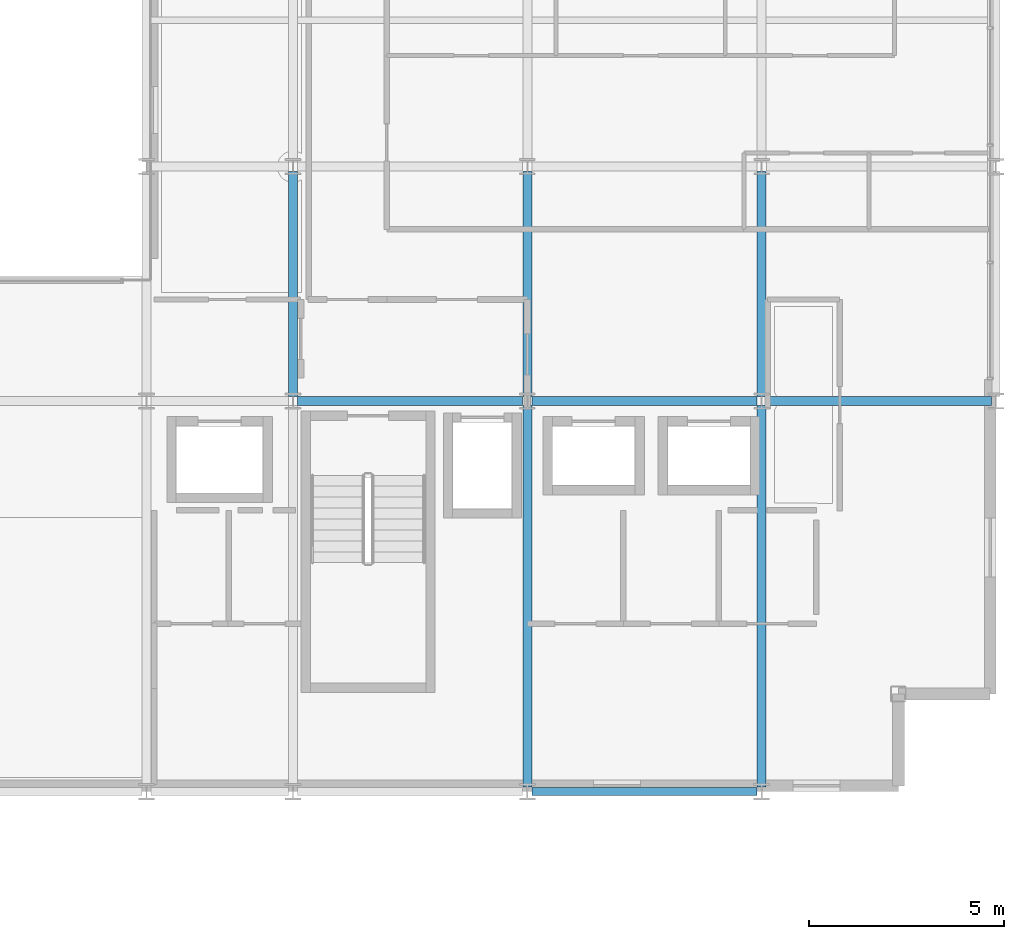
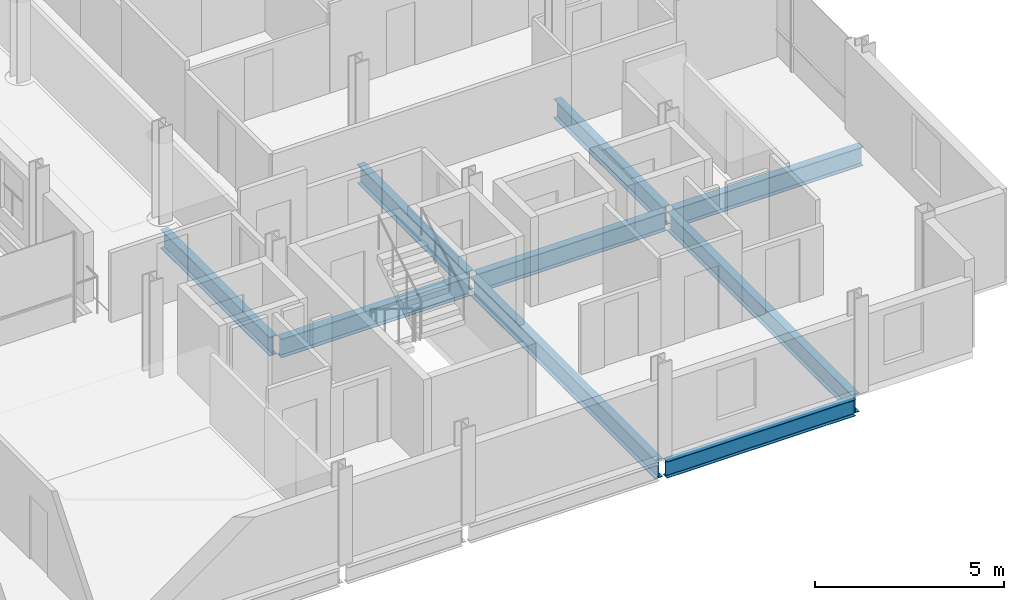
# One storey, part 16 of 41: 9 beams.
"""IFC4 building model written with IfcOpenShell, lengths in metres."""

from ifc_helpers import new_model, si_unit, direction, frame, origin, origin_2d, place, context, subcontext, project, spatial, i_section, extrude, material, material_profile, profile_set, type_object, element, save


model = new_model("IFC4")

# Units and contexts
model_context = context("Model", 3, precision=1e-05, world=origin(), true_north=direction((0.0, 1.0)))
body_context = subcontext(model_context, "Body", "Model", "MODEL_VIEW")
ifc_project = project(units=[si_unit("LENGTHUNIT", "METRE"), si_unit("AREAUNIT", "SQUARE_METRE"), si_unit("VOLUMEUNIT", "CUBIC_METRE"), si_unit("PLANEANGLEUNIT", "RADIAN"), si_unit("MASSUNIT", "GRAM", prefix="KILO")], contexts=[model_context])

# Site, building, storey
site_placement = place(None, origin())
site = spatial("IfcSite", under=ifc_project, at=site_placement, CompositionType="ELEMENT")
building_placement = place(site_placement, origin())
building = spatial("IfcBuilding", under=site, at=building_placement, Name="Brevholm Reach", CompositionType="ELEMENT")
storey_placement = place(building_placement, frame((0.0, 0.0, 157.300048828125)))
storey = spatial("IfcBuildingStorey", under=building, at=storey_placement, Name="L47", CompositionType="ELEMENT", Elevation=157.300048828125)

# Beams
ifc_material_1 = material(Name="Structural Steel S355J2", Category="steel")
ifc_material_profile_1 = material_profile(ifc_material_1, i_section(OverallWidth=0.209228515625, OverallDepth=0.533203125, WebThickness=0.010009765625, FlangeThickness=0.015625, FilletRadius=0.0126953125, at=origin_2d()), Name="UKB 533x210x92")
ifc_profile_set_1 = profile_set([ifc_material_profile_1], Name="Structural Steel S355J2")
beam_type_1 = type_object("IfcBeamType", Name="BM-SP533", PredefinedType="SPANDREL", material=ifc_profile_set_1)
beam_1_placement = place(storey_placement, frame((48.1201171875, 0.0, -0.486572265625), z_axis=(1.0, 0.0, 0.0), x_axis=(0.0, 1.0, 0.0)))
element("IfcBeam", 1, at=beam_1_placement, inside=storey, type_object=beam_type_1, Name="L47 SP-02 Framing Beam", PredefinedType="SPANDREL", context=body_context, shape_type="SweptSolid", body=[
    extrude(i_section(OverallWidth=0.209228515625, OverallDepth=0.533203125, WebThickness=0.010009765625, FlangeThickness=0.015625, FilletRadius=0.0126953125, at=origin_2d()), origin(), (0.0, 0.0, 1.0), 5.759765625),
])
ifc_material_2 = material(Name="Structural Steel S355J2", Category="steel")
ifc_material_profile_2 = material_profile(ifc_material_2, i_section(OverallWidth=0.22900390625, OverallDepth=0.6123046875, WebThickness=0.011962890625, FlangeThickness=0.01953125, FilletRadius=0.0126953125, at=origin_2d()), Name="UKB 610x229x125")
ifc_profile_set_2 = profile_set([ifc_material_profile_2], Name="Structural Steel S355J2")
beam_type_2 = type_object("IfcBeamType", Name="BM-SP610", PredefinedType="SPANDREL", material=ifc_profile_set_2)
for number, where, z_axis, x_axis, name in (
    (2, (42.1201171875, 10.0, -0.526123046875), (1.0, 0.0, 0.0), (0.0, 1.0, 0.0), "L47 SP-01 Framing Beam"),
    (3, (48.1201171875, 10.0, -0.526123046875), (1.0, 0.0, 0.0), (0.0, 1.0, 0.0), "L47 SP-01 Framing Beam"),
    (4, (54.1201171875, 10.0, -0.526123046875), (1.0, 0.0, 0.0), (0.0, 1.0, 0.0), "L47 SP-01 Framing Beam"),
    (5, (42.0, 10.1201171875, -0.526123046875), (0.0, 1.0, 0.0), (-1.0, 0.0, 0.0), "L47 SP-01 Framing Beam"),
):
    element("IfcBeam", number, at=place(storey_placement, frame(where, z_axis=z_axis, x_axis=x_axis)), inside=storey, type_object=beam_type_2, Name=name, PredefinedType="SPANDREL", context=body_context, shape_type="SweptSolid", body=[
        extrude(i_section(OverallWidth=0.22900390625, OverallDepth=0.6123046875, WebThickness=0.011962890625, FlangeThickness=0.01953125, FilletRadius=0.0126953125, at=origin_2d()), origin(), (0.0, 0.0, 1.0), 5.759765625),
    ])
beam_2_placement = place(storey_placement, frame((48.0, 0.1201171875, -0.526123046875), z_axis=(0.0, 1.0, 0.0), x_axis=(-1.0, 0.0, 0.0)))
element("IfcBeam", 6, at=beam_2_placement, inside=storey, type_object=beam_type_2, Name="L47 SP-01 Framing Beam", PredefinedType="SPANDREL", context=body_context, shape_type="SweptSolid", body=[
    extrude(i_section(OverallWidth=0.22900390625, OverallDepth=0.6123046875, WebThickness=0.011962890625, FlangeThickness=0.01953125, FilletRadius=0.0126953125, at=origin_2d()), origin(), (0.0, 0.0, 1.0), 9.759765625),
])
beam_3_placement = place(storey_placement, frame((48.0, 10.1201171875, -0.526123046875), z_axis=(0.0, 1.0, 0.0), x_axis=(-1.0, 0.0, 0.0)))
element("IfcBeam", 7, at=beam_3_placement, inside=storey, type_object=beam_type_2, Name="L47 SP-01 Framing Beam", PredefinedType="SPANDREL", context=body_context, shape_type="SweptSolid", body=[
    extrude(i_section(OverallWidth=0.22900390625, OverallDepth=0.6123046875, WebThickness=0.011962890625, FlangeThickness=0.01953125, FilletRadius=0.0126953125, at=origin_2d()), origin(), (0.0, 0.0, 1.0), 5.759765625),
])
beam_4_placement = place(storey_placement, frame((54.0, 0.1201171875, -0.526123046875), z_axis=(0.0, 1.0, 0.0), x_axis=(-1.0, 0.0, 0.0)))
element("IfcBeam", 8, at=beam_4_placement, inside=storey, type_object=beam_type_2, Name="L47 SP-01 Framing Beam", PredefinedType="SPANDREL", context=body_context, shape_type="SweptSolid", body=[
    extrude(i_section(OverallWidth=0.22900390625, OverallDepth=0.6123046875, WebThickness=0.011962890625, FlangeThickness=0.01953125, FilletRadius=0.0126953125, at=origin_2d()), origin(), (0.0, 0.0, 1.0), 9.759765625),
])
beam_5_placement = place(storey_placement, frame((54.0, 10.1201171875, -0.526123046875), z_axis=(0.0, 1.0, 0.0), x_axis=(-1.0, 0.0, 0.0)))
element("IfcBeam", 9, at=beam_5_placement, inside=storey, type_object=beam_type_2, Name="L47 SP-01 Framing Beam", PredefinedType="SPANDREL", context=body_context, shape_type="SweptSolid", body=[
    extrude(i_section(OverallWidth=0.22900390625, OverallDepth=0.6123046875, WebThickness=0.011962890625, FlangeThickness=0.01953125, FilletRadius=0.0126953125, at=origin_2d()), origin(), (0.0, 0.0, 1.0), 5.759765625),
])

save(model, "model.ifc")
